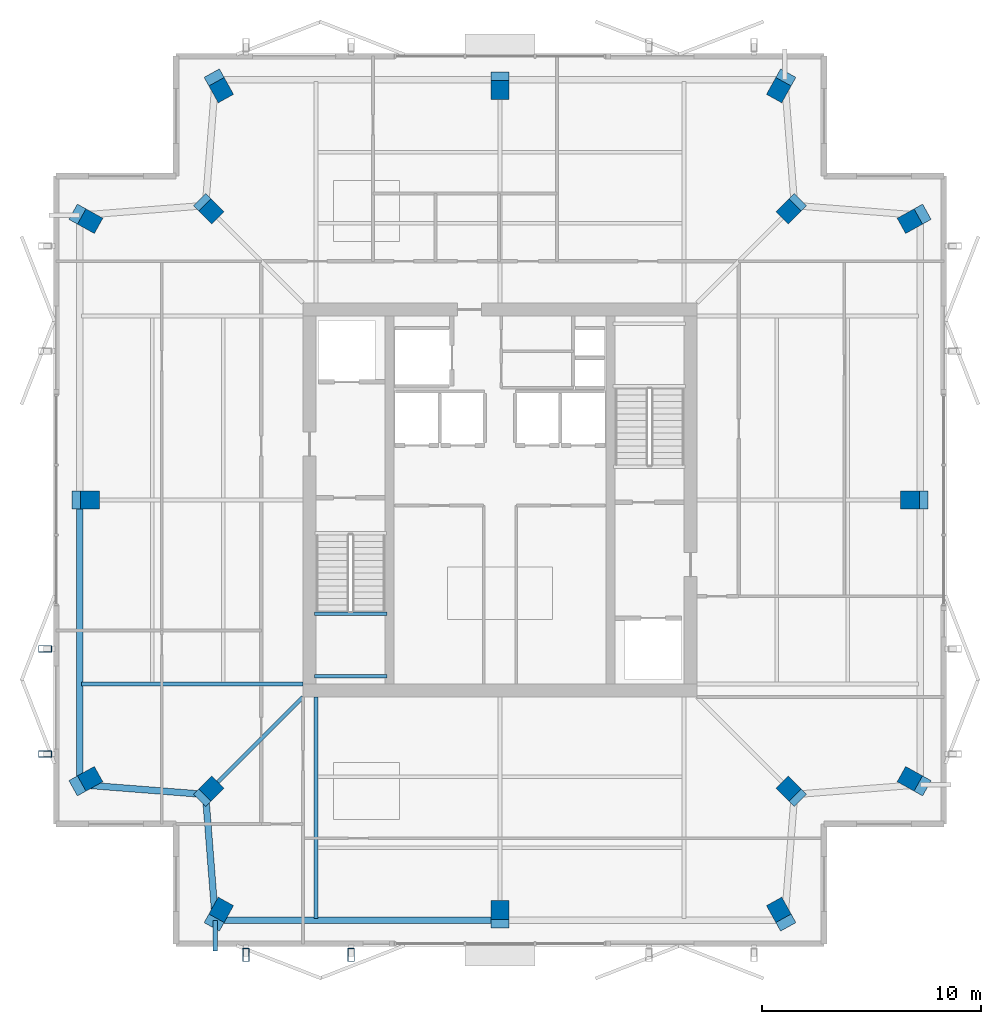
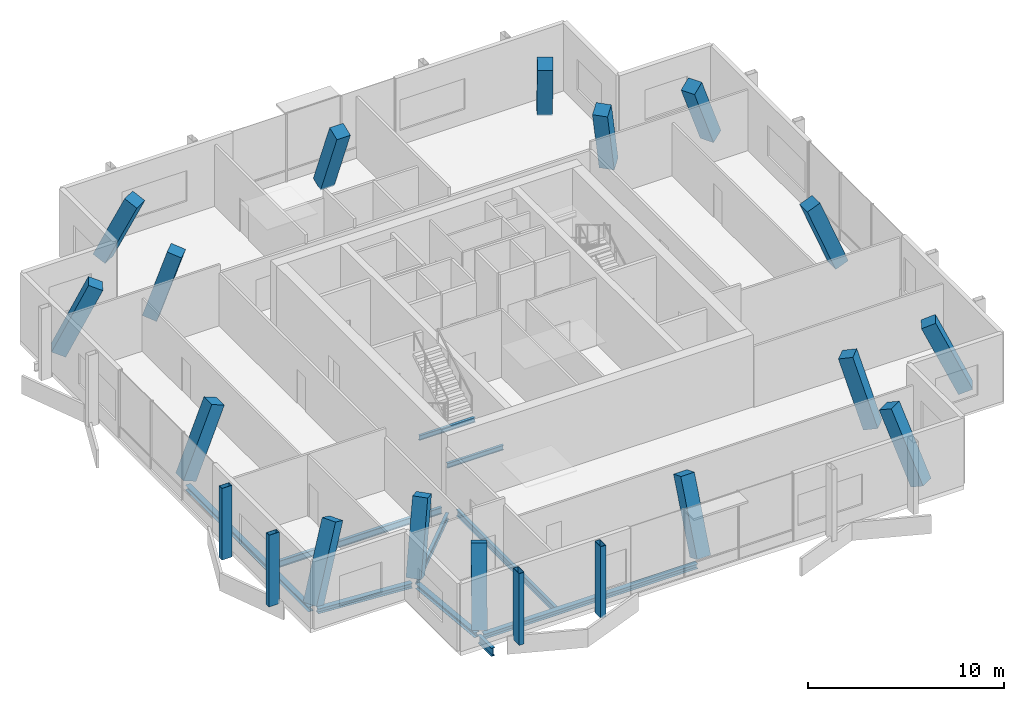
# One storey, part 1 of 16: 16 columns, 10 beams, 4 members.
"""IFC4 building model written with IfcOpenShell, lengths in metres."""

from ifc_helpers import new_model, si_unit, direction, frame, origin, origin_2d, place, context, subcontext, project, spatial, rectangle, hollow_rectangle, i_section, extrude, material, material_profile, profile_set, type_object, element, save


model = new_model("IFC4")

# Units and contexts
model_context = context("Model", 3, precision=1e-05, world=origin(), true_north=direction((0.0, 1.0)))
body_context = subcontext(model_context, "Body", "Model", "MODEL_VIEW")
ifc_project = project(units=[si_unit("LENGTHUNIT", "METRE"), si_unit("AREAUNIT", "SQUARE_METRE"), si_unit("VOLUMEUNIT", "CUBIC_METRE"), si_unit("PLANEANGLEUNIT", "RADIAN"), si_unit("MASSUNIT", "GRAM", prefix="KILO")], contexts=[model_context])

# Site, building, storey
site_placement = place(None, origin())
site = spatial("IfcSite", under=ifc_project, at=site_placement, CompositionType="ELEMENT")
building_placement = place(site_placement, origin())
building = spatial("IfcBuilding", under=site, at=building_placement, Name="Belovzor Exchange Tower", CompositionType="ELEMENT")
storey_placement = place(building_placement, frame((0.0, 0.0, 364.5)))
storey = spatial("IfcBuildingStorey", under=building, at=storey_placement, Name="L91", CompositionType="ELEMENT", Elevation=364.5)

# Columns
ifc_material_1 = material(Name="Concrete C50/60", Category="concrete")
ifc_material_profile_1 = material_profile(ifc_material_1, rectangle(XDim=0.800048828125, YDim=0.800048828125, at=origin_2d()))
ifc_profile_set_1 = profile_set([ifc_material_profile_1], Name="Concrete C50/60")
column_type = type_object("IfcColumnType", Name="Reinforced Concrete Tower Column 800x800", PredefinedType="COLUMN", material=ifc_profile_set_1)
column_1_placement = place(storey_placement, frame((15.81103515625, 9.6201171875, 0.051025390625), z_axis=(0.202047238794, 0.363749581663, 0.909320160964), x_axis=(-0.874193862425, 0.485577069989, 0.0)))
element("IfcColumn", 1, at=column_1_placement, inside=storey, type_object=column_type, Name="COL-T080 Reinforced Concrete Tower Column 800x800", PredefinedType="COLUMN", context=body_context, shape_type="SweptSolid", body=[
    extrude(rectangle(XDim=0.800048828125, YDim=0.800048828125, at=origin_2d()), origin(), (0.0, 0.0, 1.0), 4.53857421875),
])
column_2_placement = place(storey_placement, frame((28.800048828125, 9.613037109375, 0.032958984375), z_axis=(0.0, 0.371428235787, 0.928461666231), x_axis=(-1.0, 0.0, 0.0)))
element("IfcColumn", 2, at=column_2_placement, inside=storey, type_object=column_type, Name="COL-T080 Reinforced Concrete Tower Column 800x800", PredefinedType="COLUMN", context=body_context, shape_type="SweptSolid", body=[
    extrude(rectangle(XDim=0.800048828125, YDim=0.800048828125, at=origin_2d()), origin(), (0.0, 0.0, 1.0), 4.48291015625),
])
for number, where, z_axis, x_axis, name in (
    (3, (41.7890625, 9.6201171875, 0.051025390625), (-0.202047238794, 0.363749581663, 0.909320160964), (-0.874193862425, -0.485577069989, 0.0), "COL-T080 Reinforced Concrete Tower Column 800x800"),
    (4, (47.97998046875, 15.81103515625, 0.051025390625), (-0.363749581663, 0.202047238794, 0.909320160964), (-0.485577069989, -0.874193862425, 0.0), "COL-T080 Reinforced Concrete Tower Column 800x800"),
):
    element("IfcColumn", number, at=place(storey_placement, frame(where, z_axis=z_axis, x_axis=x_axis)), inside=storey, type_object=column_type, Name=name, PredefinedType="COLUMN", context=body_context, shape_type="SweptSolid", body=[
        extrude(rectangle(XDim=0.800048828125, YDim=0.800048828125, at=origin_2d()), origin(), (0.0, 0.0, 1.0), 4.53857421875),
    ])
column_3_placement = place(storey_placement, frame((47.987060546875, 28.800048828125, 0.032958984375), z_axis=(-0.371428235787, 0.0, 0.928461666231), x_axis=(0.0, -1.0, 0.0)))
element("IfcColumn", 5, at=column_3_placement, inside=storey, type_object=column_type, Name="COL-T080 Reinforced Concrete Tower Column 800x800", PredefinedType="COLUMN", context=body_context, shape_type="SweptSolid", body=[
    extrude(rectangle(XDim=0.800048828125, YDim=0.800048828125, at=origin_2d()), origin(), (0.0, 0.0, 1.0), 4.48291015625),
])
for number, where, z_axis, x_axis, name in (
    (6, (47.97998046875, 41.7890625, 0.051025390625), (-0.363749581663, -0.202047238794, 0.909320160964), (0.485577069989, -0.874193862425, 0.0), "COL-T080 Reinforced Concrete Tower Column 800x800"),
    (7, (41.7890625, 47.97998046875, 0.051025390625), (-0.202047238794, -0.363749581663, 0.909320160964), (0.874193862425, -0.485577069989, 0.0), "COL-T080 Reinforced Concrete Tower Column 800x800"),
):
    element("IfcColumn", number, at=place(storey_placement, frame(where, z_axis=z_axis, x_axis=x_axis)), inside=storey, type_object=column_type, Name=name, PredefinedType="COLUMN", context=body_context, shape_type="SweptSolid", body=[
        extrude(rectangle(XDim=0.800048828125, YDim=0.800048828125, at=origin_2d()), origin(), (0.0, 0.0, 1.0), 4.53857421875),
    ])
column_4_placement = place(storey_placement, frame((28.800048828125, 47.987060546875, 0.032958984375), z_axis=(0.0, -0.371428235787, 0.928461666231), x_axis=(1.0, 0.0, 0.0)))
element("IfcColumn", 8, at=column_4_placement, inside=storey, type_object=column_type, Name="COL-T080 Reinforced Concrete Tower Column 800x800", PredefinedType="COLUMN", context=body_context, shape_type="SweptSolid", body=[
    extrude(rectangle(XDim=0.800048828125, YDim=0.800048828125, at=origin_2d()), origin(), (0.0, 0.0, 1.0), 4.48291015625),
])
for number, where, z_axis, x_axis, name in (
    (9, (15.81103515625, 47.97998046875, 0.051025390625), (0.202047238794, -0.363749581663, 0.909320160964), (0.874193862425, 0.485577069989, 0.0), "COL-T080 Reinforced Concrete Tower Column 800x800"),
    (10, (9.6201171875, 41.7890625, 0.051025390625), (0.363749581663, -0.202047238794, 0.909320160964), (0.485577069989, 0.874193862425, 0.0), "COL-T080 Reinforced Concrete Tower Column 800x800"),
):
    element("IfcColumn", number, at=place(storey_placement, frame(where, z_axis=z_axis, x_axis=x_axis)), inside=storey, type_object=column_type, Name=name, PredefinedType="COLUMN", context=body_context, shape_type="SweptSolid", body=[
        extrude(rectangle(XDim=0.800048828125, YDim=0.800048828125, at=origin_2d()), origin(), (0.0, 0.0, 1.0), 4.53857421875),
    ])
column_5_placement = place(storey_placement, frame((9.613037109375, 28.800048828125, 0.032958984375), z_axis=(0.371428235787, 0.0, 0.928461666231), x_axis=(0.0, 1.0, 0.0)))
element("IfcColumn", 11, at=column_5_placement, inside=storey, type_object=column_type, Name="COL-T080 Reinforced Concrete Tower Column 800x800", PredefinedType="COLUMN", context=body_context, shape_type="SweptSolid", body=[
    extrude(rectangle(XDim=0.800048828125, YDim=0.800048828125, at=origin_2d()), origin(), (0.0, 0.0, 1.0), 4.48291015625),
])
column_6_placement = place(storey_placement, frame((9.6201171875, 15.81103515625, 0.051025390625), z_axis=(0.363749581663, 0.202047238794, 0.909320160964), x_axis=(-0.485577069989, 0.874193862425, 0.0)))
element("IfcColumn", 12, at=column_6_placement, inside=storey, type_object=column_type, Name="COL-T080 Reinforced Concrete Tower Column 800x800", PredefinedType="COLUMN", context=body_context, shape_type="SweptSolid", body=[
    extrude(rectangle(XDim=0.800048828125, YDim=0.800048828125, at=origin_2d()), origin(), (0.0, 0.0, 1.0), 4.53857421875),
])
for number, where, z_axis, x_axis, name in (
    (13, (15.35107421875, 15.35107421875, 0.0048828125), (0.21206137456, 0.21206137456, 0.953970621581), (-0.707106781187, 0.707106781187, 0.0), "COL-T080 Reinforced Concrete Tower Column 800x800"),
    (14, (42.2490234375, 15.35107421875, 0.0048828125), (-0.212114432299, 0.212058875874, 0.953959381092), (-0.707014161267, -0.707199388975, 0.0), "COL-T080 Reinforced Concrete Tower Column 800x800"),
    (15, (42.2490234375, 42.2490234375, 0.0048828125), (-0.212111933046, -0.212111933046, 0.953948141001), (0.707106781187, -0.707106781187, 0.0), "COL-T080 Reinforced Concrete Tower Column 800x800"),
    (16, (15.35107421875, 42.2490234375, 0.0048828125), (0.212058875874, -0.212114432299, 0.953959381092), (0.707199388975, 0.707014161267, 0.0), "COL-T080 Reinforced Concrete Tower Column 800x800"),
):
    element("IfcColumn", number, at=place(storey_placement, frame(where, z_axis=z_axis, x_axis=x_axis)), inside=storey, type_object=column_type, Name=name, PredefinedType="COLUMN", context=body_context, shape_type="SweptSolid", body=[
        extrude(rectangle(XDim=0.800048828125, YDim=0.800048828125, at=origin_2d()), origin(), (0.0, 0.0, 1.0), 4.39453125),
    ])

# Beams
ifc_material_2 = material(Name="Steel S355", Category="steel")
ifc_material_profile_2 = material_profile(ifc_material_2, i_section(OverallWidth=0.199951171875, OverallDepth=0.5, WebThickness=0.01025390625, FlangeThickness=0.01611328125, at=origin_2d()))
ifc_profile_set_2 = profile_set([ifc_material_profile_2], Name="Steel S355")
beam_type_1 = type_object("IfcBeamType", Name="Planted Balcony Cantilever Beam IPE 500", PredefinedType="BEAM", material=ifc_profile_set_2)
beam_1_placement = place(storey_placement, frame((15.800048828125, 9.60009765625, -0.510009765625), z_axis=(0.0, -1.0, 0.0), x_axis=(1.0, 0.0, 0.0)))
element("IfcBeam", 17, at=beam_1_placement, inside=storey, type_object=beam_type_1, Name="BC-500 Planted Balcony Cantilever Beam IPE 500", PredefinedType="BEAM", context=body_context, shape_type="SweptSolid", body=[
    extrude(i_section(OverallWidth=0.199951171875, OverallDepth=0.5, WebThickness=0.01025390625, FlangeThickness=0.01611328125, at=origin_2d()), origin(), (0.0, 0.0, 1.0), 1.400146484375),
])
ifc_material_3 = material(Name="Steel S355", Category="steel")
ifc_material_profile_3 = material_profile(ifc_material_3, i_section(OverallWidth=0.14990234375, OverallDepth=0.300048828125, WebThickness=0.007080078125, FlangeThickness=0.0107421875, at=origin_2d()))
ifc_profile_set_3 = profile_set([ifc_material_profile_3], Name="Steel S355")
beam_type_2 = type_object("IfcBeamType", Name="Secondary Trim Floor Joist IPE 300", PredefinedType="BEAM", material=ifc_profile_set_3)
for number, where, z_axis, x_axis, name in (
    (18, (20.320068359375, 23.60009765625, 1.89990234375), (1.0, 0.0, 0.0), (0.0, 1.0, 0.0), "FJ-300 Secondary Trim Floor Joist IPE 300"),
    (19, (20.320068359375, 20.75, 1.89990234375), (1.0, 0.0, 0.0), (0.0, 1.0, 0.0), "FJ-300 Secondary Trim Floor Joist IPE 300"),
):
    element("IfcBeam", number, at=place(storey_placement, frame(where, z_axis=z_axis, x_axis=x_axis)), inside=storey, type_object=beam_type_2, Name=name, PredefinedType="BEAM", context=body_context, shape_type="SweptSolid", body=[
        extrude(i_section(OverallWidth=0.14990234375, OverallDepth=0.300048828125, WebThickness=0.007080078125, FlangeThickness=0.0107421875, at=origin_2d()), origin(), (0.0, 0.0, 1.0), 3.309814453125),
    ])

# Members
ifc_material_4 = material(Name="Extruded Architectural Terracotta on Steel S355 Carrier", Category="masonry")
ifc_material_profile_4 = material_profile(ifc_material_4, hollow_rectangle(XDim=0.300048828125, YDim=0.60009765625, WallThickness=0.01611328125, at=origin_2d()))
ifc_profile_set_4 = profile_set([ifc_material_profile_4], Name="Extruded Architectural Terracotta on Steel S355 Carrier")
member_type = type_object("IfcMemberType", Name="Upper Crown Terracotta Fin Assembly 550", PredefinedType="USERDEFINED", material=ifc_profile_set_4)
for number, where, z_axis, x_axis, name in (
    (20, (17.199951171875, 8.02490234375, -0.260009765625), (0.0, 0.0, 1.0), (1.0, 0.0, 0.0), "FIN-TC055 Terracotta Facade Fin L91 S1"),
    (21, (8.02490234375, 17.199951171875, -0.260009765625), (0.0, 0.0, 1.0), (0.0, 1.0, 0.0), "FIN-TC055 Terracotta Facade Fin L91 W1"),
    (22, (22.0, 8.02490234375, -0.260009765625), (0.0, 0.0, 1.0), (1.0, 0.0, 0.0), "FIN-TC055 Terracotta Facade Fin L91 S2"),
    (23, (8.02490234375, 22.0, -0.260009765625), (0.0, 0.0, 1.0), (0.0, 1.0, 0.0), "FIN-TC055 Terracotta Facade Fin L91 W2"),
):
    element("IfcMember", number, at=place(storey_placement, frame(where, z_axis=z_axis, x_axis=x_axis)), inside=storey, type_object=member_type, Name=name, ObjectType="FIN", PredefinedType="USERDEFINED", context=body_context, shape_type="SweptSolid", body=[
        extrude(hollow_rectangle(XDim=0.300048828125, YDim=0.60009765625, WallThickness=0.01611328125, at=origin_2d()), origin(), (0.0, 0.0, 1.0), 4.4599609375),
    ])

# Beams
ifc_material_5 = material(Name="Steel S355", Category="steel")
ifc_material_profile_5 = material_profile(ifc_material_5, i_section(OverallWidth=0.179931640625, OverallDepth=0.39990234375, WebThickness=0.008544921875, FlangeThickness=0.013427734375, at=origin_2d()))
ifc_profile_set_5 = profile_set([ifc_material_profile_5], Name="Steel S355")
beam_type_3 = type_object("IfcBeamType", Name="Zone 5-6 Radial Composite Floor Beam IPE 400", PredefinedType="BEAM", material=ifc_profile_set_5)
for number, where, z_axis, x_axis, name in (
    (24, (20.39990234375, 19.800048828125, -0.4599609375), (0.0, -1.0, 0.0), (1.0, 0.0, 0.0), "FB-400 Zone 5-6 Radial Composite Floor Beam IPE 400"),
    (25, (19.800048828125, 20.39990234375, -0.4599609375), (-1.0, 0.0, 0.0), (0.0, -1.0, 0.0), "FB-400 Zone 5-6 Radial Composite Floor Beam IPE 400"),
):
    element("IfcBeam", number, at=place(storey_placement, frame(where, z_axis=z_axis, x_axis=x_axis)), inside=storey, type_object=beam_type_3, Name=name, PredefinedType="BEAM", context=body_context, shape_type="SweptSolid", body=[
        extrude(i_section(OverallWidth=0.179931640625, OverallDepth=0.39990234375, WebThickness=0.008544921875, FlangeThickness=0.013427734375, at=origin_2d()), origin(), (0.0, 0.0, 1.0), 10.125),
    ])
beam_2_placement = place(storey_placement, frame((19.800048828125, 19.800048828125, -0.4599609375), z_axis=(-0.707106781187, -0.707106781187, 0.0), x_axis=(0.707106781187, -0.707106781187, 0.0)))
element("IfcBeam", 26, at=beam_2_placement, inside=storey, type_object=beam_type_3, Name="FB-400 Zone 5-6 Radial Composite Floor Beam IPE 400", PredefinedType="BEAM", context=body_context, shape_type="SweptSolid", body=[
    extrude(i_section(OverallWidth=0.179931640625, OverallDepth=0.39990234375, WebThickness=0.008544921875, FlangeThickness=0.013427734375, at=origin_2d()), origin(), (0.0, 0.0, 1.0), 6.010498046875),
])
ifc_material_6 = material(Name="Steel S355", Category="steel")
ifc_material_profile_6 = material_profile(ifc_material_6, i_section(OverallWidth=0.300048828125, OverallDepth=0.300048828125, WebThickness=0.008544921875, FlangeThickness=0.013916015625, at=origin_2d()))
ifc_profile_set_6 = profile_set([ifc_material_profile_6], Name="Steel S355")
beam_type_4 = type_object("IfcBeamType", Name="Zone 6 Primary Girder HEA 300", PredefinedType="BEAM", material=ifc_profile_set_6)
beam_3_placement = place(storey_placement, frame((15.366943359375, 15.131103515625, -0.409912109375), z_axis=(0.078076949164, -0.996947335625, 0.0), x_axis=(0.996947335625, 0.078076949164, 0.0)))
element("IfcBeam", 27, at=beam_3_placement, inside=storey, type_object=beam_type_4, Name="FG-Z6 Zone 6 Primary Girder HEA 300", PredefinedType="BEAM", context=body_context, shape_type="SweptSolid", body=[
    extrude(i_section(OverallWidth=0.300048828125, OverallDepth=0.300048828125, WebThickness=0.008544921875, FlangeThickness=0.013916015625, at=origin_2d()), origin(), (0.0, 0.0, 1.0), 5.328369140625),
])
for number, where, z_axis, x_axis, name in (
    (28, (16.02001953125, 9.60009765625, -0.409912109375), (1.0, 0.0, 0.0), (0.0, 1.0, 0.0), "FG-Z6 Zone 6 Primary Girder HEA 300"),
    (29, (9.60009765625, 28.580078125, -0.409912109375), (0.0, -1.0, 0.0), (1.0, 0.0, 0.0), "FG-Z6 Zone 6 Primary Girder HEA 300"),
):
    element("IfcBeam", number, at=place(storey_placement, frame(where, z_axis=z_axis, x_axis=x_axis)), inside=storey, type_object=beam_type_4, Name=name, PredefinedType="BEAM", context=body_context, shape_type="SweptSolid", body=[
        extrude(i_section(OverallWidth=0.300048828125, OverallDepth=0.300048828125, WebThickness=0.008544921875, FlangeThickness=0.013916015625, at=origin_2d()), origin(), (0.0, 0.0, 1.0), 12.56005859375),
    ])
beam_4_placement = place(storey_placement, frame((9.819091796875, 15.782958984375, -0.409912109375), z_axis=(0.996947335625, -0.078076949164, 0.0), x_axis=(0.078076949164, 0.996947335625, 0.0)))
element("IfcBeam", 30, at=beam_4_placement, inside=storey, type_object=beam_type_4, Name="FG-Z6 Zone 6 Primary Girder HEA 300", PredefinedType="BEAM", context=body_context, shape_type="SweptSolid", body=[
    extrude(i_section(OverallWidth=0.300048828125, OverallDepth=0.300048828125, WebThickness=0.008544921875, FlangeThickness=0.013916015625, at=origin_2d()), origin(), (0.0, 0.0, 1.0), 5.328369140625),
])

save(model, "model.ifc")
